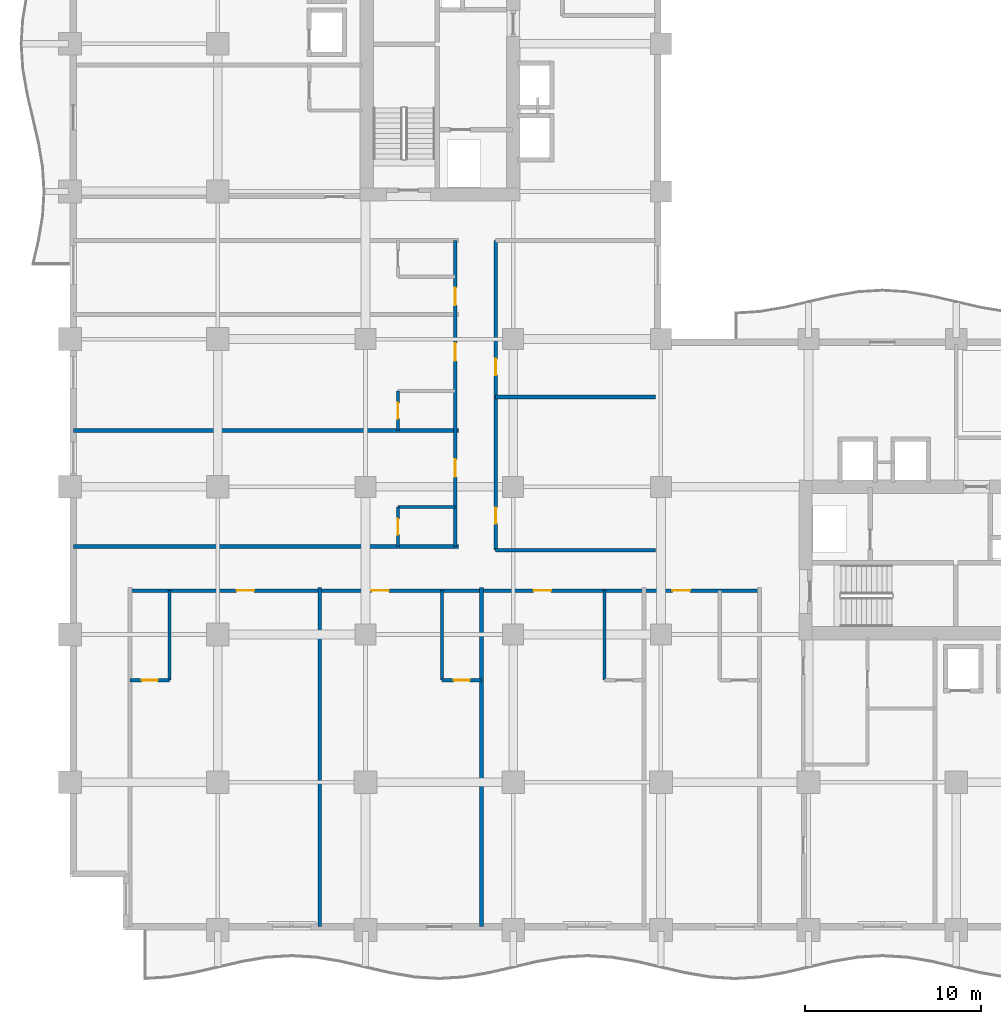
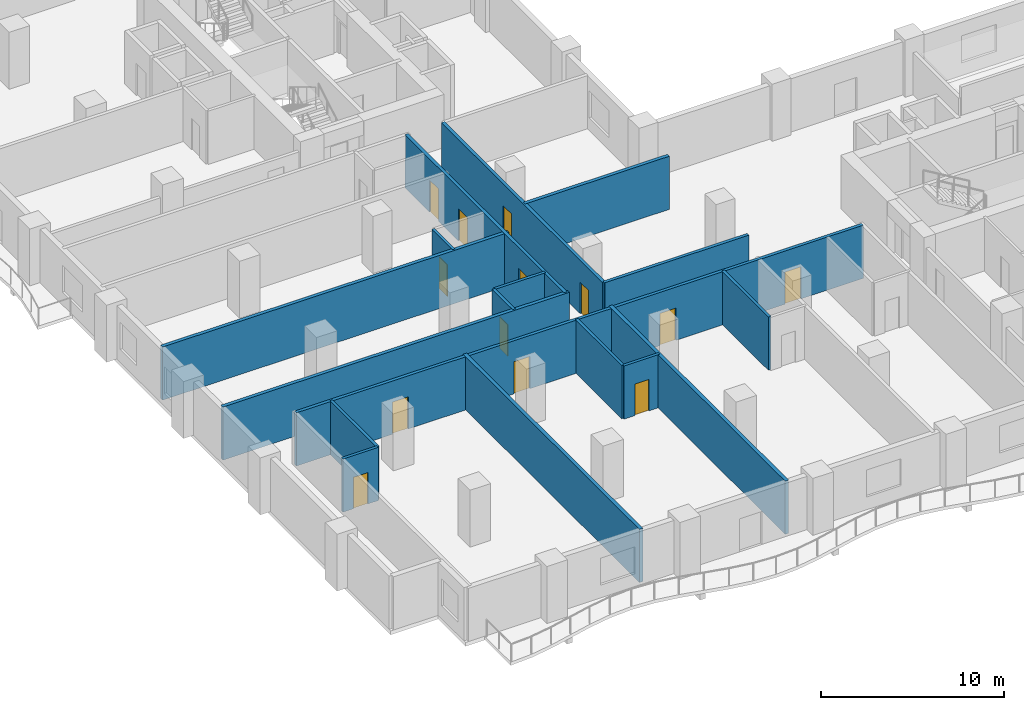
# One storey, part 9 of 23: 17 walls, 13 doors, 13 openings.
"""IFC4 building model written with IfcOpenShell, lengths in metres."""

from ifc_helpers import new_model, si_unit, direction, frame, frame_2d, origin, place, context, subcontext, project, spatial, rectangle, extrude, material, layer, layer_set, type_object, element, fill, save


model = new_model("IFC4")

# Units and contexts
model_context = context("Model", 3, precision=1e-05, world=origin(), true_north=direction((0.0, 1.0)))
body_context = subcontext(model_context, "Body", "Model", "MODEL_VIEW")
ifc_project = project(units=[si_unit("LENGTHUNIT", "METRE"), si_unit("AREAUNIT", "SQUARE_METRE"), si_unit("VOLUMEUNIT", "CUBIC_METRE"), si_unit("PLANEANGLEUNIT", "RADIAN"), si_unit("MASSUNIT", "GRAM", prefix="KILO")], contexts=[model_context])

# Site, building, storey
site_placement = place(None, origin())
site = spatial("IfcSite", under=ifc_project, at=site_placement, CompositionType="ELEMENT")
building_placement = place(site_placement, origin())
building = spatial("IfcBuilding", under=site, at=building_placement, Name="Koriwani Terraces Tower", CompositionType="ELEMENT")
storey_placement = place(building_placement, frame((0.0, 0.0, 119.0)))
storey = spatial("IfcBuildingStorey", under=building, at=storey_placement, Name="L28", CompositionType="ELEMENT", Elevation=119.0)

# Wall, openings, doors
ifc_material_1 = material(Name="Autoclaved Cellular Concrete Blockwork", Category="masonry")
ifc_layer_1 = layer(ifc_material_1, 0.199951171875, Name="Autoclaved Cellular Concrete Blockwork")
ifc_layer_set_1 = layer_set([ifc_layer_1], Name="Autoclaved Cellular Concrete Blockwork")
wall_type_1 = type_object("IfcWallType", Name="WALL_CORRIDOR_200", PredefinedType="PARTITIONING", material=ifc_layer_set_1)
wall_1_placement = place(storey_placement, frame((24.199951171875, 21.60009765625, 0.0), z_axis=(0.0, 0.0, 1.0), x_axis=(0.0, 1.0, 0.0)))
wall_1 = element("IfcWall", 1, at=wall_1_placement, inside=storey, type_object=wall_type_1, Name="L28 Interior Wall WIC2-W-L28", PredefinedType="PARTITIONING", context=body_context, shape_type="SweptSolid", body=[
    extrude(rectangle(XDim=17.599853515625, YDim=0.199951171875, at=frame_2d((8.7998046875, 0.0))), origin(), (0.0, 0.0, 1.0), 3.550048828125),
])
opening_1_placement = place(wall_1_placement, frame((1.5, 0.0, 0.0)))
opening_1 = element("IfcOpeningElement", 2, at=opening_1_placement, cuts=wall_1, Name="Opening D-06", PredefinedType="OPENING", context=body_context, shape_type="SweptSolid", body=[
    extrude(rectangle(XDim=0.919921875, YDim=2.10009765625, at=frame_2d((0.4599609375, 1.050048828125))), frame((0.0, 0.10986328125, 0.0), z_axis=(0.0, -1.0, 0.0), x_axis=(1.0, 0.0, 0.0)), (0.0, 0.0, 1.0), 0.219970703125),
])
opening_2_placement = place(wall_1_placement, frame((9.949951171875, 0.0, 0.0)))
opening_2 = element("IfcOpeningElement", 3, at=opening_2_placement, cuts=wall_1, Name="Opening D-06", PredefinedType="OPENING", context=body_context, shape_type="SweptSolid", body=[
    extrude(rectangle(XDim=0.919921875, YDim=2.10009765625, at=frame_2d((0.4599609375, 1.050048828125))), frame((0.0, 0.10986328125, 0.0), z_axis=(0.0, -1.0, 0.0), x_axis=(1.0, 0.0, 0.0)), (0.0, 0.0, 1.0), 0.219970703125),
])
ifc_material_2 = material(Name="Architectural Oak Fire Door", Category="wood")
door_type_1 = type_object("IfcDoorType", Name="DOOR_ROOM_INT_920X2100", OperationType="NOTDEFINED", PredefinedType="DOOR", material=ifc_material_2)
door_1_placement = place(opening_1_placement, origin())
door_1 = element("IfcDoor", 4, at=door_1_placement, inside=storey, type_object=door_type_1, Name="L28 Inner Court Salon Door", OperationType="SINGLE_SWING_LEFT", OverallHeight=2.10009765625, OverallWidth=0.919921875, PredefinedType="DOOR", context=body_context, shape_type="SweptSolid", body=[
    extrude(rectangle(XDim=0.919921875, YDim=2.10009765625, at=frame_2d((0.4599609375, 1.050048828125))), frame((0.0, 0.02490234375, 0.0), z_axis=(0.0, -1.0, 0.0), x_axis=(1.0, 0.0, 0.0)), (0.0, 0.0, 1.0), 0.050048828125),
])
fill(opening_1, door_1)
door_2_placement = place(opening_2_placement, origin())
door_2 = element("IfcDoor", 5, at=door_2_placement, inside=storey, type_object=door_type_1, Name="L28 Inner Court Media Room Door", OperationType="SINGLE_SWING_RIGHT", OverallHeight=2.10009765625, OverallWidth=0.919921875, PredefinedType="DOOR", context=body_context, shape_type="SweptSolid", body=[
    extrude(rectangle(XDim=0.919921875, YDim=2.10009765625, at=frame_2d((0.4599609375, 1.050048828125))), frame((0.0, 0.02490234375, 0.0), z_axis=(0.0, -1.0, 0.0), x_axis=(1.0, 0.0, 0.0)), (0.0, 0.0, 1.0), 0.050048828125),
])
fill(opening_2, door_2)

# Wall
wall_2_placement = place(storey_placement, frame((24.199951171875, 21.60009765625, 0.0), z_axis=(0.0, 0.0, 1.0), x_axis=(1.0, 0.0, 0.0)))
element("IfcWall", 6, at=wall_2_placement, inside=storey, type_object=wall_type_1, Name="L28 Interior Wall WIC2-S-L28", PredefinedType="PARTITIONING", context=body_context, shape_type="SweptSolid", body=[
    extrude(rectangle(XDim=9.10009765625, YDim=0.199951171875, at=frame_2d((4.550048828125, 0.0))), origin(), (0.0, 0.0, 1.0), 3.550048828125),
])

# Wall, openings, doors
wall_3_placement = place(storey_placement, frame((3.39990234375, 19.300048828125, 0.0), z_axis=(0.0, 0.0, 1.0), x_axis=(1.0, 0.0, 0.0)))
wall_3 = element("IfcWall", 7, at=wall_3_placement, inside=storey, type_object=wall_type_1, Name="L28 Interior Wall WCOR-L28-SW-0", PredefinedType="PARTITIONING", context=body_context, shape_type="SweptSolid", body=[
    extrude(rectangle(XDim=35.800048828125, YDim=0.199951171875, at=frame_2d((17.89990234375, 0.0))), origin(), (0.0, 0.0, 1.0), 3.550048828125),
])
opening_3_placement = place(wall_3_placement, frame((6.06494140625, 0.0, 0.0)))
opening_3 = element("IfcOpeningElement", 8, at=opening_3_placement, cuts=wall_3, Name="Opening D-05", PredefinedType="OPENING", context=body_context, shape_type="SweptSolid", body=[
    extrude(rectangle(XDim=1.0, YDim=2.14990234375, at=frame_2d((0.5, 1.074951171875))), frame((0.0, 0.10986328125, 0.0), z_axis=(0.0, -1.0, 0.0), x_axis=(1.0, 0.0, 0.0)), (0.0, 0.0, 1.0), 0.219970703125),
])
opening_4_placement = place(wall_3_placement, frame((13.735107421875, 0.0, 0.0)))
opening_4 = element("IfcOpeningElement", 9, at=opening_4_placement, cuts=wall_3, Name="Opening D-05", PredefinedType="OPENING", context=body_context, shape_type="SweptSolid", body=[
    extrude(rectangle(XDim=1.0, YDim=2.14990234375, at=frame_2d((0.5, 1.074951171875))), frame((0.0, 0.10986328125, 0.0), z_axis=(0.0, -1.0, 0.0), x_axis=(1.0, 0.0, 0.0)), (0.0, 0.0, 1.0), 0.219970703125),
])
opening_5_placement = place(wall_3_placement, frame((22.9599609375, 0.0, 0.0)))
opening_5 = element("IfcOpeningElement", 10, at=opening_5_placement, cuts=wall_3, Name="Opening D-05", PredefinedType="OPENING", context=body_context, shape_type="SweptSolid", body=[
    extrude(rectangle(XDim=1.0, YDim=2.14990234375, at=frame_2d((0.5, 1.074951171875))), frame((0.0, 0.10986328125, 0.0), z_axis=(0.0, -1.0, 0.0), x_axis=(1.0, 0.0, 0.0)), (0.0, 0.0, 1.0), 0.219970703125),
])
opening_6_placement = place(wall_3_placement, frame((30.860107421875, 0.0, 0.0)))
opening_6 = element("IfcOpeningElement", 11, at=opening_6_placement, cuts=wall_3, Name="Opening D-05", PredefinedType="OPENING", context=body_context, shape_type="SweptSolid", body=[
    extrude(rectangle(XDim=1.0, YDim=2.14990234375, at=frame_2d((0.5, 1.074951171875))), frame((0.0, 0.10986328125, 0.0), z_axis=(0.0, -1.0, 0.0), x_axis=(1.0, 0.0, 0.0)), (0.0, 0.0, 1.0), 0.219970703125),
])
door_type_2 = type_object("IfcDoorType", Name="DOOR_SUITE_ENTRY_1000X2150", OperationType="NOTDEFINED", PredefinedType="DOOR", material=ifc_material_2)
door_3_placement = place(opening_3_placement, origin())
door_3 = element("IfcDoor", 12, at=door_3_placement, inside=storey, type_object=door_type_2, Name="Luxury Hotel Suite 28SW1 Entrance Door", OperationType="SINGLE_SWING_LEFT", OverallHeight=2.14990234375, OverallWidth=1.0, PredefinedType="DOOR", context=body_context, shape_type="SweptSolid", body=[
    extrude(rectangle(XDim=1.0, YDim=2.14990234375, at=frame_2d((0.5, 1.074951171875))), frame((0.0, 0.02490234375, 0.0), z_axis=(0.0, -1.0, 0.0), x_axis=(1.0, 0.0, 0.0)), (0.0, 0.0, 1.0), 0.050048828125),
])
fill(opening_3, door_3)
door_4_placement = place(opening_4_placement, origin())
door_4 = element("IfcDoor", 13, at=door_4_placement, inside=storey, type_object=door_type_2, Name="Luxury Hotel Suite 28SW2 Entrance Door", OperationType="SINGLE_SWING_LEFT", OverallHeight=2.14990234375, OverallWidth=1.0, PredefinedType="DOOR", context=body_context, shape_type="SweptSolid", body=[
    extrude(rectangle(XDim=1.0, YDim=2.14990234375, at=frame_2d((0.5, 1.074951171875))), frame((0.0, 0.02490234375, 0.0), z_axis=(0.0, -1.0, 0.0), x_axis=(1.0, 0.0, 0.0)), (0.0, 0.0, 1.0), 0.050048828125),
])
fill(opening_4, door_4)
door_5_placement = place(opening_5_placement, origin())
door_5 = element("IfcDoor", 14, at=door_5_placement, inside=storey, type_object=door_type_2, Name="Luxury Hotel Suite 28SW3 Entrance Door", OperationType="SINGLE_SWING_LEFT", OverallHeight=2.14990234375, OverallWidth=1.0, PredefinedType="DOOR", context=body_context, shape_type="SweptSolid", body=[
    extrude(rectangle(XDim=1.0, YDim=2.14990234375, at=frame_2d((0.5, 1.074951171875))), frame((0.0, 0.02490234375, 0.0), z_axis=(0.0, -1.0, 0.0), x_axis=(1.0, 0.0, 0.0)), (0.0, 0.0, 1.0), 0.050048828125),
])
fill(opening_5, door_5)
door_6_placement = place(opening_6_placement, origin())
door_6 = element("IfcDoor", 15, at=door_6_placement, inside=storey, type_object=door_type_2, Name="Luxury Hotel Suite 28SW4 Entrance Door", OperationType="SINGLE_SWING_LEFT", OverallHeight=2.14990234375, OverallWidth=1.0, PredefinedType="DOOR", context=body_context, shape_type="SweptSolid", body=[
    extrude(rectangle(XDim=1.0, YDim=2.14990234375, at=frame_2d((0.5, 1.074951171875))), frame((0.0, 0.02490234375, 0.0), z_axis=(0.0, -1.0, 0.0), x_axis=(1.0, 0.0, 0.0)), (0.0, 0.0, 1.0), 0.050048828125),
])
fill(opening_6, door_6)

wall_4_placement = place(storey_placement, frame((21.89990234375, 21.800048828125, 0.0), z_axis=(0.0, 0.0, 1.0), x_axis=(0.0, 1.0, 0.0)))
wall_4 = element("IfcWall", 16, at=wall_4_placement, inside=storey, type_object=wall_type_1, Name="L28 Interior Wall WCOR-L28-NW-0", PredefinedType="PARTITIONING", context=body_context, shape_type="SweptSolid", body=[
    extrude(rectangle(XDim=17.39990234375, YDim=0.199951171875, at=frame_2d((8.699951171875, 0.0))), origin(), (0.0, 0.0, 1.0), 3.550048828125),
])
opening_7_placement = place(wall_4_placement, frame((3.965087890625, 0.0, 0.0)))
opening_7 = element("IfcOpeningElement", 17, at=opening_7_placement, cuts=wall_4, Name="Opening D-05", PredefinedType="OPENING", context=body_context, shape_type="SweptSolid", body=[
    extrude(rectangle(XDim=1.0, YDim=2.14990234375, at=frame_2d((0.5, 1.074951171875))), frame((0.0, 0.10986328125, 0.0), z_axis=(0.0, -1.0, 0.0), x_axis=(1.0, 0.0, 0.0)), (0.0, 0.0, 1.0), 0.219970703125),
])
opening_8_placement = place(wall_4_placement, frame((10.56494140625, 0.0, 0.0)))
opening_8 = element("IfcOpeningElement", 18, at=opening_8_placement, cuts=wall_4, Name="Opening D-05", PredefinedType="OPENING", context=body_context, shape_type="SweptSolid", body=[
    extrude(rectangle(XDim=1.0, YDim=2.14990234375, at=frame_2d((0.5, 1.074951171875))), frame((0.0, 0.10986328125, 0.0), z_axis=(0.0, -1.0, 0.0), x_axis=(1.0, 0.0, 0.0)), (0.0, 0.0, 1.0), 0.219970703125),
])
opening_9_placement = place(wall_4_placement, frame((13.735107421875, 0.0, 0.0)))
opening_9 = element("IfcOpeningElement", 19, at=opening_9_placement, cuts=wall_4, Name="Opening D-05", PredefinedType="OPENING", context=body_context, shape_type="SweptSolid", body=[
    extrude(rectangle(XDim=1.0, YDim=2.14990234375, at=frame_2d((0.5, 1.074951171875))), frame((0.0, 0.10986328125, 0.0), z_axis=(0.0, -1.0, 0.0), x_axis=(1.0, 0.0, 0.0)), (0.0, 0.0, 1.0), 0.219970703125),
])
door_7_placement = place(opening_7_placement, origin())
door_7 = element("IfcDoor", 20, at=door_7_placement, inside=storey, type_object=door_type_2, Name="Luxury Hotel Suite 28NW1 Entrance Door", OperationType="SINGLE_SWING_LEFT", OverallHeight=2.14990234375, OverallWidth=1.0, PredefinedType="DOOR", context=body_context, shape_type="SweptSolid", body=[
    extrude(rectangle(XDim=1.0, YDim=2.14990234375, at=frame_2d((0.5, 1.074951171875))), frame((0.0, 0.02490234375, 0.0), z_axis=(0.0, -1.0, 0.0), x_axis=(1.0, 0.0, 0.0)), (0.0, 0.0, 1.0), 0.050048828125),
])
fill(opening_7, door_7)
door_8_placement = place(opening_8_placement, origin())
door_8 = element("IfcDoor", 21, at=door_8_placement, inside=storey, type_object=door_type_2, Name="Luxury Hotel Suite 28NW2 Entrance Door", OperationType="SINGLE_SWING_LEFT", OverallHeight=2.14990234375, OverallWidth=1.0, PredefinedType="DOOR", context=body_context, shape_type="SweptSolid", body=[
    extrude(rectangle(XDim=1.0, YDim=2.14990234375, at=frame_2d((0.5, 1.074951171875))), frame((0.0, 0.02490234375, 0.0), z_axis=(0.0, -1.0, 0.0), x_axis=(1.0, 0.0, 0.0)), (0.0, 0.0, 1.0), 0.050048828125),
])
fill(opening_8, door_8)
door_9_placement = place(opening_9_placement, origin())
door_9 = element("IfcDoor", 22, at=door_9_placement, inside=storey, type_object=door_type_2, Name="Luxury Hotel Suite 28NW3 Entrance Door", OperationType="SINGLE_SWING_LEFT", OverallHeight=2.14990234375, OverallWidth=1.0, PredefinedType="DOOR", context=body_context, shape_type="SweptSolid", body=[
    extrude(rectangle(XDim=1.0, YDim=2.14990234375, at=frame_2d((0.5, 1.074951171875))), frame((0.0, 0.02490234375, 0.0), z_axis=(0.0, -1.0, 0.0), x_axis=(1.0, 0.0, 0.0)), (0.0, 0.0, 1.0), 0.050048828125),
])
fill(opening_9, door_9)

# Walls
ifc_layer_2 = layer(ifc_material_1, 0.219970703125, Name="Autoclaved Cellular Concrete Blockwork")
ifc_layer_set_2 = layer_set([ifc_layer_2], Name="Autoclaved Cellular Concrete Blockwork")
wall_type_2 = type_object("IfcWallType", Name="WALL_DEMISING_220", PredefinedType="PARTITIONING", material=ifc_layer_set_2)
wall_5_placement = place(storey_placement, frame((24.199951171875, 30.300048828125, 0.0), z_axis=(0.0, 0.0, 1.0), x_axis=(1.0, 0.0, 0.0)))
element("IfcWall", 23, at=wall_5_placement, inside=storey, type_object=wall_type_2, Name="L28 Interior Wall WIC2-M-L28", PredefinedType="PARTITIONING", context=body_context, shape_type="SweptSolid", body=[
    extrude(rectangle(XDim=9.10009765625, YDim=0.219970703125, at=frame_2d((4.550048828125, 0.0))), origin(), (0.0, 0.0, 1.0), 3.550048828125),
])
for number, where, z_axis, x_axis, name in (
    (24, (14.199951171875, 0.199951171875, 0.0), (0.0, 0.0, 1.0), (0.0, 1.0, 0.0), "L28 Interior Wall WDEM-L28-SW-1"),
    (25, (23.39990234375, 0.199951171875, 0.0), (0.0, 0.0, 1.0), (0.0, 1.0, 0.0), "L28 Interior Wall WDEM-L28-SW-2"),
):
    element("IfcWall", number, at=place(storey_placement, frame(where, z_axis=z_axis, x_axis=x_axis)), inside=storey, type_object=wall_type_2, Name=name, PredefinedType="PARTITIONING", context=body_context, shape_type="SweptSolid", body=[
        extrude(rectangle(XDim=19.280029296875, YDim=0.219970703125, at=frame_2d((9.64013671875, 0.0))), origin(), (0.0, 0.0, 1.0), 3.550048828125),
    ])
for number, where, z_axis, x_axis, name in (
    (26, (0.199951171875, 21.800048828125, 0.0), (0.0, 0.0, 1.0), (1.0, 0.0, 0.0), "L28 Interior Wall WDEM-L28-NW-0"),
    (27, (0.199951171875, 28.39990234375, 0.0), (0.0, 0.0, 1.0), (1.0, 0.0, 0.0), "L28 Interior Wall WDEM-L28-NW-1"),
):
    element("IfcWall", number, at=place(storey_placement, frame(where, z_axis=z_axis, x_axis=x_axis)), inside=storey, type_object=wall_type_2, Name=name, PredefinedType="PARTITIONING", context=body_context, shape_type="SweptSolid", body=[
        extrude(rectangle(XDim=21.880126953125, YDim=0.219970703125, at=frame_2d((10.93994140625, 0.0))), origin(), (0.0, 0.0, 1.0), 3.550048828125),
    ])

# Wall, opening, door
ifc_material_3 = material(Name="Fire-Rated Acoustic Gypsum Partition", Category="masonry")
ifc_layer_3 = layer(ifc_material_3, 0.179931640625, Name="Fire-Rated Acoustic Gypsum Partition")
ifc_layer_set_3 = layer_set([ifc_layer_3], Name="Fire-Rated Acoustic Gypsum Partition")
wall_type_3 = type_object("IfcWallType", Name="WALL_PLUMBING_180", PredefinedType="PLUMBINGWALL", material=ifc_layer_set_3)
wall_6_placement = place(storey_placement, frame((3.39990234375, 14.199951171875, 0.0), z_axis=(0.0, 0.0, 1.0), x_axis=(1.0, 0.0, 0.0)))
wall_6 = element("IfcWall", 28, at=wall_6_placement, inside=storey, type_object=wall_type_3, Name="L28 Interior Wall WBTH1-L28-SW-0", PredefinedType="PLUMBINGWALL", context=body_context, shape_type="SweptSolid", body=[
    extrude(rectangle(XDim=2.25, YDim=0.179931640625, at=frame_2d((1.125, 0.0))), origin(), (0.0, 0.0, 1.0), 3.550048828125),
])
opening_10_placement = place(wall_6_placement, frame((0.675048828125, 0.0, 0.0)))
opening_10 = element("IfcOpeningElement", 29, at=opening_10_placement, cuts=wall_6, Name="Opening D-07", PredefinedType="OPENING", context=body_context, shape_type="SweptSolid", body=[
    extrude(rectangle(XDim=0.89990234375, YDim=2.10009765625, at=frame_2d((0.449951171875, 1.050048828125))), frame((0.0, 0.10009765625, 0.0), z_axis=(0.0, -1.0, 0.0), x_axis=(1.0, 0.0, 0.0)), (0.0, 0.0, 1.0), 0.199951171875),
])
door_type_3 = type_object("IfcDoorType", Name="DOOR_BATH_INT_900X2100", OperationType="NOTDEFINED", PredefinedType="DOOR", material=ifc_material_2)
door_10_placement = place(opening_10_placement, origin())
door_10 = element("IfcDoor", 30, at=door_10_placement, inside=storey, type_object=door_type_3, Name="En-Suite Bathroom 28SW1 Door", OperationType="SINGLE_SWING_RIGHT", OverallHeight=2.10009765625, OverallWidth=0.89990234375, PredefinedType="DOOR", context=body_context, shape_type="SweptSolid", body=[
    extrude(rectangle(XDim=0.89990234375, YDim=2.10009765625, at=frame_2d((0.449951171875, 1.050048828125))), frame((0.0, 0.02490234375, 0.0), z_axis=(0.0, -1.0, 0.0), x_axis=(1.0, 0.0, 0.0)), (0.0, 0.0, 1.0), 0.050048828125),
])
fill(opening_10, door_10)

# Wall
wall_7_placement = place(storey_placement, frame((5.64990234375, 14.199951171875, 0.0), z_axis=(0.0, 0.0, 1.0), x_axis=(0.0, 1.0, 0.0)))
element("IfcWall", 31, at=wall_7_placement, inside=storey, type_object=wall_type_3, Name="L28 Interior Wall WBTH2-L28-SW-0", PredefinedType="PLUMBINGWALL", context=body_context, shape_type="SweptSolid", body=[
    extrude(rectangle(XDim=5.10009765625, YDim=0.179931640625, at=frame_2d((2.550048828125, 0.0))), origin(), (0.0, 0.0, 1.0), 3.550048828125),
])

# Wall, opening, door
wall_8_placement = place(storey_placement, frame((21.14990234375, 14.199951171875, 0.0), z_axis=(0.0, 0.0, 1.0), x_axis=(1.0, 0.0, 0.0)))
wall_8 = element("IfcWall", 32, at=wall_8_placement, inside=storey, type_object=wall_type_3, Name="L28 Interior Wall WBTH1-L28-SW-1", PredefinedType="PLUMBINGWALL", context=body_context, shape_type="SweptSolid", body=[
    extrude(rectangle(XDim=2.25, YDim=0.179931640625, at=frame_2d((1.125, 0.0))), origin(), (0.0, 0.0, 1.0), 3.550048828125),
])
opening_11_placement = place(wall_8_placement, frame((0.675048828125, 0.0, 0.0)))
opening_11 = element("IfcOpeningElement", 33, at=opening_11_placement, cuts=wall_8, Name="Opening D-07", PredefinedType="OPENING", context=body_context, shape_type="SweptSolid", body=[
    extrude(rectangle(XDim=0.89990234375, YDim=2.10009765625, at=frame_2d((0.449951171875, 1.050048828125))), frame((0.0, 0.10009765625, 0.0), z_axis=(0.0, -1.0, 0.0), x_axis=(1.0, 0.0, 0.0)), (0.0, 0.0, 1.0), 0.199951171875),
])
door_11_placement = place(opening_11_placement, origin())
door_11 = element("IfcDoor", 34, at=door_11_placement, inside=storey, type_object=door_type_3, Name="En-Suite Bathroom 28SW2 Door", OperationType="SINGLE_SWING_RIGHT", OverallHeight=2.10009765625, OverallWidth=0.89990234375, PredefinedType="DOOR", context=body_context, shape_type="SweptSolid", body=[
    extrude(rectangle(XDim=0.89990234375, YDim=2.10009765625, at=frame_2d((0.449951171875, 1.050048828125))), frame((0.0, 0.02490234375, 0.0), z_axis=(0.0, -1.0, 0.0), x_axis=(1.0, 0.0, 0.0)), (0.0, 0.0, 1.0), 0.050048828125),
])
fill(opening_11, door_11)

# Walls
for number, where, z_axis, x_axis, name in (
    (35, (21.14990234375, 14.199951171875, 0.0), (0.0, 0.0, 1.0), (0.0, 1.0, 0.0), "L28 Interior Wall WBTH2-L28-SW-1"),
    (36, (30.39990234375, 14.199951171875, 0.0), (0.0, 0.0, 1.0), (0.0, 1.0, 0.0), "L28 Interior Wall WBTH2-L28-SW-2"),
):
    element("IfcWall", number, at=place(storey_placement, frame(where, z_axis=z_axis, x_axis=x_axis)), inside=storey, type_object=wall_type_3, Name=name, PredefinedType="PLUMBINGWALL", context=body_context, shape_type="SweptSolid", body=[
        extrude(rectangle(XDim=5.10009765625, YDim=0.179931640625, at=frame_2d((2.550048828125, 0.0))), origin(), (0.0, 0.0, 1.0), 3.550048828125),
    ])

# Wall, opening, door
wall_9_placement = place(storey_placement, frame((18.64990234375, 21.800048828125, 0.0), z_axis=(0.0, 0.0, 1.0), x_axis=(0.0, 1.0, 0.0)))
wall_9 = element("IfcWall", 37, at=wall_9_placement, inside=storey, type_object=wall_type_3, Name="L28 Interior Wall WBTH1-L28-NW-0", PredefinedType="PLUMBINGWALL", context=body_context, shape_type="SweptSolid", body=[
    extrude(rectangle(XDim=2.25, YDim=0.179931640625, at=frame_2d((1.125, 0.0))), origin(), (0.0, 0.0, 1.0), 3.550048828125),
])
opening_12_placement = place(wall_9_placement, frame((0.675048828125, 0.0, 0.0)))
opening_12 = element("IfcOpeningElement", 38, at=opening_12_placement, cuts=wall_9, Name="Opening D-07", PredefinedType="OPENING", context=body_context, shape_type="SweptSolid", body=[
    extrude(rectangle(XDim=0.89990234375, YDim=2.10009765625, at=frame_2d((0.449951171875, 1.050048828125))), frame((0.0, 0.10009765625, 0.0), z_axis=(0.0, -1.0, 0.0), x_axis=(1.0, 0.0, 0.0)), (0.0, 0.0, 1.0), 0.199951171875),
])
door_12_placement = place(opening_12_placement, origin())
door_12 = element("IfcDoor", 39, at=door_12_placement, inside=storey, type_object=door_type_3, Name="En-Suite Bathroom 28NW1 Door", OperationType="SINGLE_SWING_RIGHT", OverallHeight=2.10009765625, OverallWidth=0.89990234375, PredefinedType="DOOR", context=body_context, shape_type="SweptSolid", body=[
    extrude(rectangle(XDim=0.89990234375, YDim=2.10009765625, at=frame_2d((0.449951171875, 1.050048828125))), frame((0.0, 0.02490234375, 0.0), z_axis=(0.0, -1.0, 0.0), x_axis=(1.0, 0.0, 0.0)), (0.0, 0.0, 1.0), 0.050048828125),
])
fill(opening_12, door_12)

# Wall
wall_10_placement = place(storey_placement, frame((18.64990234375, 24.050048828125, 0.0), z_axis=(0.0, 0.0, 1.0), x_axis=(1.0, 0.0, 0.0)))
element("IfcWall", 40, at=wall_10_placement, inside=storey, type_object=wall_type_3, Name="L28 Interior Wall WBTH2-L28-NW-0", PredefinedType="PLUMBINGWALL", context=body_context, shape_type="SweptSolid", body=[
    extrude(rectangle(XDim=3.25, YDim=0.179931640625, at=frame_2d((1.625, 0.0))), origin(), (0.0, 0.0, 1.0), 3.550048828125),
])

# Wall, opening, door
wall_11_placement = place(storey_placement, frame((18.64990234375, 28.39990234375, 0.0), z_axis=(0.0, 0.0, 1.0), x_axis=(0.0, 1.0, 0.0)))
wall_11 = element("IfcWall", 41, at=wall_11_placement, inside=storey, type_object=wall_type_3, Name="L28 Interior Wall WBTH1-L28-NW-1", PredefinedType="PLUMBINGWALL", context=body_context, shape_type="SweptSolid", body=[
    extrude(rectangle(XDim=2.25, YDim=0.179931640625, at=frame_2d((1.125, 0.0))), origin(), (0.0, 0.0, 1.0), 3.550048828125),
])
opening_13_placement = place(wall_11_placement, frame((0.675048828125, 0.0, 0.0)))
opening_13 = element("IfcOpeningElement", 42, at=opening_13_placement, cuts=wall_11, Name="Opening D-07", PredefinedType="OPENING", context=body_context, shape_type="SweptSolid", body=[
    extrude(rectangle(XDim=0.89990234375, YDim=2.10009765625, at=frame_2d((0.449951171875, 1.050048828125))), frame((0.0, 0.10009765625, 0.0), z_axis=(0.0, -1.0, 0.0), x_axis=(1.0, 0.0, 0.0)), (0.0, 0.0, 1.0), 0.199951171875),
])
door_13_placement = place(opening_13_placement, origin())
door_13 = element("IfcDoor", 43, at=door_13_placement, inside=storey, type_object=door_type_3, Name="En-Suite Bathroom 28NW2 Door", OperationType="SINGLE_SWING_RIGHT", OverallHeight=2.10009765625, OverallWidth=0.89990234375, PredefinedType="DOOR", context=body_context, shape_type="SweptSolid", body=[
    extrude(rectangle(XDim=0.89990234375, YDim=2.10009765625, at=frame_2d((0.449951171875, 1.050048828125))), frame((0.0, 0.02490234375, 0.0), z_axis=(0.0, -1.0, 0.0), x_axis=(1.0, 0.0, 0.0)), (0.0, 0.0, 1.0), 0.050048828125),
])
fill(opening_13, door_13)

save(model, "model.ifc")
